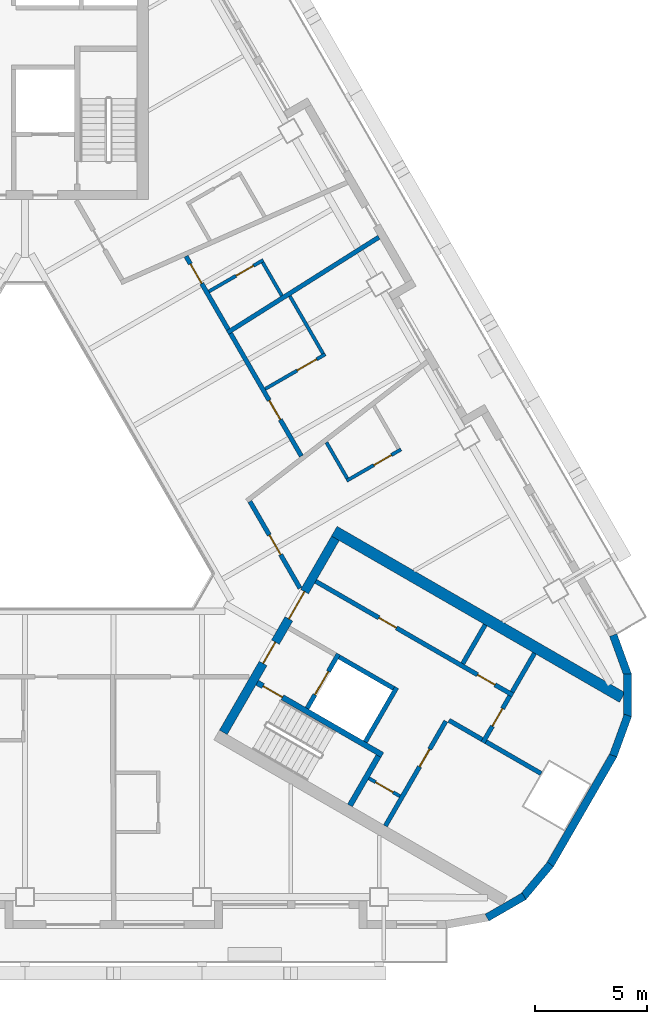
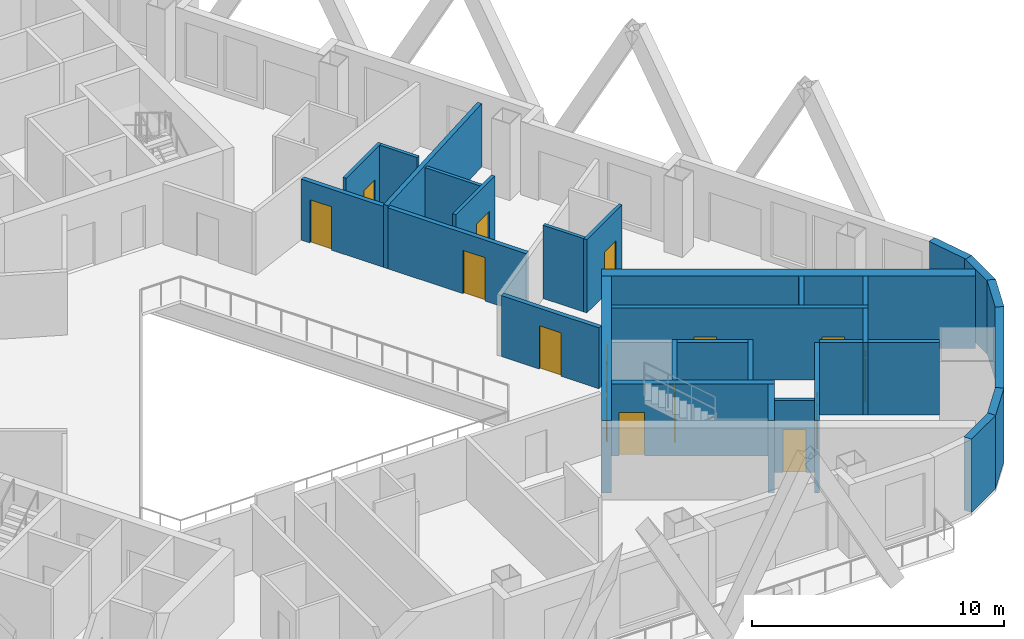
# One storey, part 5 of 14: 31 walls, 15 doors, 15 openings.
"""IFC4 building model written with IfcOpenShell, lengths in metres."""

from ifc_helpers import new_model, si_unit, direction, frame, frame_2d, origin, place, context, subcontext, project, spatial, rectangle, extrude, material, layer, layer_set, type_object, element, fill, save


model = new_model("IFC4")

# Units and contexts
model_context = context("Model", 3, precision=1e-05, world=origin(), true_north=direction((0.0, 1.0)))
body_context = subcontext(model_context, "Body", "Model", "MODEL_VIEW")
ifc_project = project(units=[si_unit("LENGTHUNIT", "METRE"), si_unit("AREAUNIT", "SQUARE_METRE"), si_unit("VOLUMEUNIT", "CUBIC_METRE"), si_unit("PLANEANGLEUNIT", "RADIAN"), si_unit("MASSUNIT", "GRAM", prefix="KILO")], contexts=[model_context])

# Site, building, storey
site_placement = place(None, origin())
site = spatial("IfcSite", under=ifc_project, at=site_placement, CompositionType="ELEMENT")
building_placement = place(site_placement, origin())
building = spatial("IfcBuilding", under=site, at=building_placement, Name="Apuvela Tower Hotel", CompositionType="ELEMENT")
storey_placement = place(building_placement, frame((0.0, 0.0, 176.199951171875)))
storey = spatial("IfcBuildingStorey", under=building, at=storey_placement, Name="L42", CompositionType="ELEMENT", Elevation=176.199951171875)

# Wall, openings, doors
ifc_material_1 = material(Name="Concrete C50/60", Category="concrete")
ifc_layer_1 = layer(ifc_material_1, 0.39990234375)
ifc_layer_set_1 = layer_set([ifc_layer_1], Name="COR-WALL-CORE-400")
wall_type_1 = type_object("IfcWallType", Name="COR-WALL-CORE-400", PredefinedType="SHEAR", material=ifc_layer_set_1)
wall_1_placement = place(storey_placement, frame((8.844970703125, -10.880126953125, 0.0), z_axis=(0.0, 0.0, 1.0), x_axis=(0.500004234368, 0.866022959057, 0.0)))
wall_1 = element("IfcWall", 1, at=wall_1_placement, inside=storey, type_object=wall_type_1, Name="Core wall SE", PredefinedType="SHEAR", context=body_context, shape_type="SweptSolid", body=[
    extrude(rectangle(XDim=10.0, YDim=0.39990234375, at=frame_2d((5.0, 0.0))), origin(), (0.0, 0.0, 1.0), 3.5),
])
opening_1_placement = place(wall_1_placement, frame((3.550048828125, 0.0, 0.0)))
opening_1 = element("IfcOpeningElement", 2, at=opening_1_placement, cuts=wall_1, Name="Opening E-FD", PredefinedType="OPENING", context=body_context, shape_type="SweptSolid", body=[
    extrude(rectangle(XDim=1.10009765625, YDim=2.10009765625, at=frame_2d((0.550048828125, 1.050048828125))), frame((0.0, 0.2099609375, 0.0), z_axis=(0.0, -1.0, 0.0), x_axis=(1.0, 0.0, 0.0)), (0.0, 0.0, 1.0), 0.419921875),
])
opening_2_placement = place(wall_1_placement, frame((5.85009765625, 0.0, 0.0)))
opening_2 = element("IfcOpeningElement", 3, at=opening_2_placement, cuts=wall_1, Name="Opening E-GD", PredefinedType="OPENING", context=body_context, shape_type="SweptSolid", body=[
    extrude(rectangle(XDim=1.39990234375, YDim=2.10009765625, at=frame_2d((0.699951171875, 1.050048828125))), frame((0.0, 0.2099609375, 0.0), z_axis=(0.0, -1.0, 0.0), x_axis=(1.0, 0.0, 0.0)), (0.0, 0.0, 1.0), 0.419921875),
])
ifc_material_2 = material(Name="Steel fire door, powder coated", Category="steel")
door_type_1 = type_object("IfcDoorType", Name="COR-FD-1100", OperationType="NOTDEFINED", PredefinedType="DOOR", material=ifc_material_2)
door_1_placement = place(opening_1_placement, frame((1.10009765625, 0.0, 0.0), z_axis=(0.0, 0.0, 1.0), x_axis=(-1.0, 0.0, 0.0)))
door_1 = element("IfcDoor", 4, at=door_1_placement, inside=storey, type_object=door_type_1, Name="Firefighting lobby door E-FD", OperationType="SINGLE_SWING_LEFT", OverallHeight=2.10009765625, OverallWidth=1.10009765625, PredefinedType="DOOR", context=body_context, shape_type="SweptSolid", body=[
    extrude(rectangle(XDim=1.10009765625, YDim=2.10009765625, at=frame_2d((0.550048828125, 1.050048828125))), frame((0.0, 0.02490234375, 0.0), z_axis=(0.0, -1.0, 0.0), x_axis=(1.0, 0.0, 0.0)), (0.0, 0.0, 1.0), 0.050048828125),
])
fill(opening_1, door_1)
ifc_material_3 = material(Name="Glazed steel fire door", Category="steel")
door_type_2 = type_object("IfcDoorType", Name="COR-GD-1400", OperationType="DOUBLE_DOOR_SINGLE_SWING", PredefinedType="DOOR", material=ifc_material_3)
door_2_placement = place(opening_2_placement, frame((1.39990234375, 0.0, 0.0), z_axis=(0.0, 0.0, 1.0), x_axis=(-1.0, 0.0, 0.0)))
door_2 = element("IfcDoor", 5, at=door_2_placement, inside=storey, type_object=door_type_2, Name="Lift lobby door E-GD", OperationType="DOUBLE_DOOR_SINGLE_SWING", OverallHeight=2.10009765625, OverallWidth=1.39990234375, PredefinedType="DOOR", context=body_context, shape_type="SweptSolid", body=[
    extrude(rectangle(XDim=1.39990234375, YDim=2.10009765625, at=frame_2d((0.699951171875, 1.050048828125))), frame((0.0, 0.02490234375, 0.0), z_axis=(0.0, -1.0, 0.0), x_axis=(1.0, 0.0, 0.0)), (0.0, 0.0, 1.0), 0.050048828125),
])
fill(opening_2, door_2)

# Wall
ifc_layer_2 = layer(ifc_material_1, 0.5)
ifc_layer_set_2 = layer_set([ifc_layer_2], Name="COR-WALL-CORE-500")
wall_type_2 = type_object("IfcWallType", Name="COR-WALL-CORE-500", PredefinedType="SHEAR", material=ifc_layer_set_2)
wall_2_placement = place(storey_placement, frame((13.796630859375, -1.9033203125, 0.0), z_axis=(0.0, 0.0, 1.0), x_axis=(0.866025009528, -0.500000682871, 0.0)))
element("IfcWall", 6, at=wall_2_placement, inside=storey, type_object=wall_type_2, Name="Core wall SE", PredefinedType="SHEAR", context=body_context, shape_type="SweptSolid", body=[
    extrude(rectangle(XDim=14.8369140625, YDim=0.5, at=frame_2d((7.41845703125, 0.0))), origin(), (0.0, 0.0, 1.0), 3.5),
])

# Wall, opening, door
ifc_material_4 = material(Name="Blockwork 150 mm plastered", Category="masonry")
ifc_layer_3 = layer(ifc_material_4, 0.14990234375)
ifc_layer_set_3 = layer_set([ifc_layer_3], Name="COR-WALL-PART-150")
wall_type_3 = type_object("IfcWallType", Name="COR-WALL-PART-150", PredefinedType="PARTITIONING", material=ifc_layer_set_3)
wall_3_placement = place(storey_placement, frame((15.341552734375, -12.927734375, 0.0), z_axis=(0.0, 0.0, 1.0), x_axis=(0.865989903783, -0.500061482766, 0.0)))
wall_3 = element("IfcWall", 7, at=wall_3_placement, inside=storey, type_object=wall_type_3, Name="Partition SE", PredefinedType="PARTITIONING", context=body_context, shape_type="SweptSolid", body=[
    extrude(rectangle(XDim=1.599853515625, YDim=0.14990234375, at=frame_2d((0.7998046875, 0.0))), origin(), (0.0, 0.0, 1.0), 3.5),
])
opening_3_placement = place(wall_3_placement, frame((0.35009765625, 0.0, 0.0)))
opening_3 = element("IfcOpeningElement", 8, at=opening_3_placement, cuts=wall_3, Name="Opening E-RD", PredefinedType="OPENING", context=body_context, shape_type="SweptSolid", body=[
    extrude(rectangle(XDim=0.89990234375, YDim=2.10009765625, at=frame_2d((0.449951171875, 1.050048828125))), frame((0.0, 0.0849609375, 0.0), z_axis=(0.0, -1.0, 0.0), x_axis=(1.0, 0.0, 0.0)), (0.0, 0.0, 1.0), 0.169921875),
])
ifc_material_5 = material(Name="Steel access door, powder coated", Category="steel")
door_type_3 = type_object("IfcDoorType", Name="COR-RD-900", OperationType="NOTDEFINED", PredefinedType="DOOR", material=ifc_material_5)
door_3_placement = place(opening_3_placement, frame((0.89990234375, 0.0, 0.0), z_axis=(0.0, 0.0, 1.0), x_axis=(-1.0, 0.0, 0.0)))
door_3 = element("IfcDoor", 9, at=door_3_placement, inside=storey, type_object=door_type_3, Name="Riser door E-RD", OperationType="SINGLE_SWING_LEFT", OverallHeight=2.10009765625, OverallWidth=0.89990234375, PredefinedType="DOOR", context=body_context, shape_type="SweptSolid", body=[
    extrude(rectangle(XDim=0.89990234375, YDim=2.10009765625, at=frame_2d((0.449951171875, 1.050048828125))), frame((0.0, 0.02490234375, 0.0), z_axis=(0.0, -1.0, 0.0), x_axis=(1.0, 0.0, 0.0)), (0.0, 0.0, 1.0), 0.050048828125),
])
fill(opening_3, door_3)

ifc_material_6 = material(Name="Blockwork 200 mm plastered", Category="masonry")
ifc_layer_4 = layer(ifc_material_6, 0.199951171875)
ifc_layer_set_4 = layer_set([ifc_layer_4], Name="COR-WALL-PART-200")
wall_type_4 = type_object("IfcWallType", Name="COR-WALL-PART-200", PredefinedType="PARTITIONING", material=ifc_layer_set_4)
wall_4_placement = place(storey_placement, frame((16.076171875, -15.05517578125, 0.0), z_axis=(0.0, 0.0, 1.0), x_axis=(0.499995103361, 0.866028230842, 0.0)))
wall_4 = element("IfcWall", 10, at=wall_4_placement, inside=storey, type_object=wall_type_4, Name="Partition SE", PredefinedType="PARTITIONING", context=body_context, shape_type="SweptSolid", body=[
    extrude(rectangle(XDim=5.39990234375, YDim=0.199951171875, at=frame_2d((2.699951171875, 0.0))), origin(), (0.0, 0.0, 1.0), 3.5),
])
opening_4_placement = place(wall_4_placement, frame((3.050048828125, 0.0, 0.0)))
opening_4 = element("IfcOpeningElement", 11, at=opening_4_placement, cuts=wall_4, Name="Opening E-RS1", PredefinedType="OPENING", context=body_context, shape_type="SweptSolid", body=[
    extrude(rectangle(XDim=0.89990234375, YDim=2.10009765625, at=frame_2d((0.449951171875, 1.050048828125))), frame((0.0, 0.10986328125, 0.0), z_axis=(0.0, -1.0, 0.0), x_axis=(1.0, 0.0, 0.0)), (0.0, 0.0, 1.0), 0.219970703125),
])
door_type_4 = type_object("IfcDoorType", Name="COR-DR-900", OperationType="NOTDEFINED", PredefinedType="DOOR", material=ifc_material_2)
door_4_placement = place(opening_4_placement, frame((0.89990234375, 0.0, 0.0), z_axis=(0.0, 0.0, 1.0), x_axis=(-1.0, 0.0, 0.0)))
door_4 = element("IfcDoor", 12, at=door_4_placement, inside=storey, type_object=door_type_4, Name="Store door E-RS1", OperationType="SINGLE_SWING_LEFT", OverallHeight=2.10009765625, OverallWidth=0.89990234375, PredefinedType="DOOR", context=body_context, shape_type="SweptSolid", body=[
    extrude(rectangle(XDim=0.89990234375, YDim=2.10009765625, at=frame_2d((0.449951171875, 1.050048828125))), frame((0.0, 0.02490234375, 0.0), z_axis=(0.0, -1.0, 0.0), x_axis=(1.0, 0.0, 0.0)), (0.0, 0.0, 1.0), 0.050048828125),
])
fill(opening_4, door_4)

# Wall
ifc_layer_5 = layer(ifc_material_1, 0.199951171875)
ifc_layer_set_5 = layer_set([ifc_layer_5], Name="COR-WALL-SHAFT-200")
wall_type_5 = type_object("IfcWallType", Name="COR-WALL-SHAFT-200", PredefinedType="SHEAR", material=ifc_layer_set_5)
wall_5_placement = place(storey_placement, frame((15.181396484375, -11.305419921875, 0.0), z_axis=(0.0, 0.0, 1.0), x_axis=(0.49994636267, 0.866056369097, 0.0)))
element("IfcWall", 13, at=wall_5_placement, inside=storey, type_object=wall_type_5, Name="Shaft wall SE", PredefinedType="SHEAR", context=body_context, shape_type="SweptSolid", body=[
    extrude(rectangle(XDim=2.800048828125, YDim=0.199951171875, at=frame_2d((1.39990234375, 0.0))), origin(), (0.0, 0.0, 1.0), 3.5),
])

# Wall, opening, door
wall_6_placement = place(storey_placement, frame((12.583251953125, -9.805419921875, 0.0), z_axis=(0.0, 0.0, 1.0), x_axis=(0.49994636267, 0.866056369097, 0.0)))
wall_6 = element("IfcWall", 14, at=wall_6_placement, inside=storey, type_object=wall_type_5, Name="Shaft wall SE", PredefinedType="SHEAR", context=body_context, shape_type="SweptSolid", body=[
    extrude(rectangle(XDim=2.800048828125, YDim=0.199951171875, at=frame_2d((1.39990234375, 0.0))), origin(), (0.0, 0.0, 1.0), 3.5),
])
opening_5_placement = place(wall_6_placement, frame((0.699951171875, 0.0, 0.0)))
opening_5 = element("IfcOpeningElement", 15, at=opening_5_placement, cuts=wall_6, Name="Opening E-LD-FS3", PredefinedType="OPENING", context=body_context, shape_type="SweptSolid", body=[
    extrude(rectangle(XDim=1.199951171875, YDim=2.10009765625, at=frame_2d((0.60009765625, 1.050048828125))), frame((0.0, 0.10986328125, 0.0), z_axis=(0.0, -1.0, 0.0), x_axis=(1.0, 0.0, 0.0)), (0.0, 0.0, 1.0), 0.219970703125),
])
ifc_material_7 = material(Name="Stainless steel lift landing door", Category="steel")
door_type_5 = type_object("IfcDoorType", Name="COR-LD-1200", OperationType="DOUBLE_DOOR_SLIDING", PredefinedType="DOOR", material=ifc_material_7)
door_5_placement = place(opening_5_placement, origin())
door_5 = element("IfcDoor", 16, at=door_5_placement, inside=storey, type_object=door_type_5, Name="Lift landing door E-LD-FS3", OperationType="DOUBLE_DOOR_SLIDING", OverallHeight=2.10009765625, OverallWidth=1.199951171875, PredefinedType="DOOR", context=body_context, shape_type="SweptSolid", body=[
    extrude(rectangle(XDim=1.199951171875, YDim=2.10009765625, at=frame_2d((0.60009765625, 1.050048828125))), frame((0.0, 0.02490234375, 0.0), z_axis=(0.0, -1.0, 0.0), x_axis=(1.0, 0.0, 0.0)), (0.0, 0.0, 1.0), 0.050048828125),
])
fill(opening_5, door_5)

# Wall
wall_7_placement = place(storey_placement, frame((14.019775390625, -7.51708984375, 0.0), z_axis=(0.0, 0.0, 1.0), x_axis=(0.866034573852, -0.49998411664, 0.0)))
element("IfcWall", 17, at=wall_7_placement, inside=storey, type_object=wall_type_5, Name="Shaft wall SE", PredefinedType="SHEAR", context=body_context, shape_type="SweptSolid", body=[
    extrude(rectangle(XDim=2.7998046875, YDim=0.199951171875, at=frame_2d((1.39990234375, 0.0))), origin(), (0.0, 0.0, 1.0), 3.5),
])

# Wall, openings, doors
wall_8_placement = place(storey_placement, frame((12.968017578125, -4.138427734375, 0.0), z_axis=(0.0, 0.0, 1.0), x_axis=(0.866028328073, -0.49999493495, 0.0)))
wall_8 = element("IfcWall", 18, at=wall_8_placement, inside=storey, type_object=wall_type_5, Name="Shaft wall SE", PredefinedType="SHEAR", context=body_context, shape_type="SweptSolid", body=[
    extrude(rectangle(XDim=10.16015625, YDim=0.199951171875, at=frame_2d((5.080078125, 0.0))), origin(), (0.0, 0.0, 1.0), 3.5),
])
opening_6_placement = place(wall_8_placement, frame((3.260009765625, 0.0, 0.0)))
opening_6 = element("IfcOpeningElement", 19, at=opening_6_placement, cuts=wall_8, Name="Opening E-RE1", PredefinedType="OPENING", context=body_context, shape_type="SweptSolid", body=[
    extrude(rectangle(XDim=0.89990234375, YDim=2.10009765625, at=frame_2d((0.449951171875, 1.050048828125))), frame((0.0, 0.10986328125, 0.0), z_axis=(0.0, -1.0, 0.0), x_axis=(1.0, 0.0, 0.0)), (0.0, 0.0, 1.0), 0.219970703125),
])
opening_7_placement = place(wall_8_placement, frame((8.340087890625, 0.0, 0.0)))
opening_7 = element("IfcOpeningElement", 20, at=opening_7_placement, cuts=wall_8, Name="Opening E-RE4", PredefinedType="OPENING", context=body_context, shape_type="SweptSolid", body=[
    extrude(rectangle(XDim=0.89990234375, YDim=2.10009765625, at=frame_2d((0.449951171875, 1.050048828125))), frame((0.0, 0.10986328125, 0.0), z_axis=(0.0, -1.0, 0.0), x_axis=(1.0, 0.0, 0.0)), (0.0, 0.0, 1.0), 0.219970703125),
])
door_6_placement = place(opening_6_placement, origin())
door_6 = element("IfcDoor", 21, at=door_6_placement, inside=storey, type_object=door_type_4, Name="Store door E-RE1", OperationType="SINGLE_SWING_LEFT", OverallHeight=2.10009765625, OverallWidth=0.89990234375, PredefinedType="DOOR", context=body_context, shape_type="SweptSolid", body=[
    extrude(rectangle(XDim=0.89990234375, YDim=2.10009765625, at=frame_2d((0.449951171875, 1.050048828125))), frame((0.0, 0.02490234375, 0.0), z_axis=(0.0, -1.0, 0.0), x_axis=(1.0, 0.0, 0.0)), (0.0, 0.0, 1.0), 0.050048828125),
])
fill(opening_6, door_6)
door_7_placement = place(opening_7_placement, origin())
door_7 = element("IfcDoor", 22, at=door_7_placement, inside=storey, type_object=door_type_4, Name="Store door E-RE4", OperationType="SINGLE_SWING_RIGHT", OverallHeight=2.10009765625, OverallWidth=0.89990234375, PredefinedType="DOOR", context=body_context, shape_type="SweptSolid", body=[
    extrude(rectangle(XDim=0.89990234375, YDim=2.10009765625, at=frame_2d((0.449951171875, 1.050048828125))), frame((0.0, 0.02490234375, 0.0), z_axis=(0.0, -1.0, 0.0), x_axis=(1.0, 0.0, 0.0)), (0.0, 0.0, 1.0), 0.050048828125),
])
fill(opening_7, door_7)

# Wall, opening, door
wall_9_placement = place(storey_placement, frame((20.430419921875, -11.33349609375, 0.0), z_axis=(0.0, 0.0, 1.0), x_axis=(0.500001309137, 0.866024647952, 0.0)))
wall_9 = element("IfcWall", 23, at=wall_9_placement, inside=storey, type_object=wall_type_5, Name="Shaft wall SE", PredefinedType="SHEAR", context=body_context, shape_type="SweptSolid", body=[
    extrude(rectangle(XDim=2.39990234375, YDim=0.199951171875, at=frame_2d((1.199951171875, 0.0))), origin(), (0.0, 0.0, 1.0), 3.5),
])
opening_8_placement = place(wall_9_placement, frame((0.85009765625, 0.0, 0.0)))
opening_8 = element("IfcOpeningElement", 24, at=opening_8_placement, cuts=wall_9, Name="Opening E-REP", PredefinedType="OPENING", context=body_context, shape_type="SweptSolid", body=[
    extrude(rectangle(XDim=0.89990234375, YDim=2.10009765625, at=frame_2d((0.449951171875, 1.050048828125))), frame((0.0, 0.10986328125, 0.0), z_axis=(0.0, -1.0, 0.0), x_axis=(1.0, 0.0, 0.0)), (0.0, 0.0, 1.0), 0.219970703125),
])
door_8_placement = place(opening_8_placement, frame((0.89990234375, 0.0, 0.0), z_axis=(0.0, 0.0, 1.0), x_axis=(-1.0, 0.0, 0.0)))
door_8 = element("IfcDoor", 25, at=door_8_placement, inside=storey, type_object=door_type_4, Name="Store door E-REP", OperationType="SINGLE_SWING_RIGHT", OverallHeight=2.10009765625, OverallWidth=0.89990234375, PredefinedType="DOOR", context=body_context, shape_type="SweptSolid", body=[
    extrude(rectangle(XDim=0.89990234375, YDim=2.10009765625, at=frame_2d((0.449951171875, 1.050048828125))), frame((0.0, 0.02490234375, 0.0), z_axis=(0.0, -1.0, 0.0), x_axis=(1.0, 0.0, 0.0)), (0.0, 0.0, 1.0), 0.050048828125),
])
fill(opening_8, door_8)

# Walls
wall_10_placement = place(storey_placement, frame((18.912841796875, -10.342041015625, 0.0), z_axis=(0.0, 0.0, 1.0), x_axis=(0.866038183914, -0.499977863513, 0.0)))
element("IfcWall", 26, at=wall_10_placement, inside=storey, type_object=wall_type_5, Name="Shaft wall SE", PredefinedType="SHEAR", context=body_context, shape_type="SweptSolid", body=[
    extrude(rectangle(XDim=1.7099609375, YDim=0.199951171875, at=frame_2d((0.85498046875, 0.0))), origin(), (0.0, 0.0, 1.0), 3.5),
])
for number, where, z_axis, x_axis, name in (
    (27, (19.530517578125, -7.81201171875, 0.0), (0.0, 0.0, 1.0), (0.499972520799, 0.866041268327, 0.0), "Shaft wall SE"),
    (28, (21.73046875, -9.081787109375, 0.0), (0.0, 0.0, 1.0), (0.50002537861, 0.866010750942, 0.0), "Shaft wall SE"),
):
    element("IfcWall", number, at=place(storey_placement, frame(where, z_axis=z_axis, x_axis=x_axis)), inside=storey, type_object=wall_type_5, Name=name, PredefinedType="SHEAR", context=body_context, shape_type="SweptSolid", body=[
        extrude(rectangle(XDim=2.0, YDim=0.199951171875, at=frame_2d((1.0, 0.0))), origin(), (0.0, 0.0, 1.0), 3.5),
    ])
wall_11_placement = place(storey_placement, frame((20.56689453125, -11.297119140625, 0.0), z_axis=(0.0, 0.0, 1.0), x_axis=(0.866055327414, -0.49994816717, 0.0)))
element("IfcWall", 29, at=wall_11_placement, inside=storey, type_object=wall_type_5, Name="Shaft wall SE", PredefinedType="SHEAR", context=body_context, shape_type="SweptSolid", body=[
    extrude(rectangle(XDim=2.840087890625, YDim=0.199951171875, at=frame_2d((1.419921875, 0.0))), origin(), (0.0, 0.0, 1.0), 3.5),
])

# Wall, opening, door
ifc_layer_6 = layer(ifc_material_1, 0.25)
ifc_layer_set_6 = layer_set([ifc_layer_6], Name="COR-WALL-STAIR-250")
wall_type_6 = type_object("IfcWallType", Name="COR-WALL-STAIR-250", PredefinedType="SHEAR", material=ifc_layer_set_6)
wall_12_placement = place(storey_placement, frame((10.355712890625, -8.66357421875, 0.0), z_axis=(0.0, 0.0, 1.0), x_axis=(0.866028629588, -0.499994412703, 0.0)))
wall_12 = element("IfcWall", 30, at=wall_12_placement, inside=storey, type_object=wall_type_6, Name="Stair wall SE", PredefinedType="SHEAR", context=body_context, shape_type="SweptSolid", body=[
    extrude(rectangle(XDim=6.44970703125, YDim=0.25, at=frame_2d((3.224853515625, 0.0))), origin(), (0.0, 0.0, 1.0), 3.5),
])
opening_9_placement = place(wall_12_placement, frame((0.300048828125, 0.0, 0.0)))
opening_9 = element("IfcOpeningElement", 31, at=opening_9_placement, cuts=wall_12, Name="Opening E-SD", PredefinedType="OPENING", context=body_context, shape_type="SweptSolid", body=[
    extrude(rectangle(XDim=1.0, YDim=2.10009765625, at=frame_2d((0.5, 1.050048828125))), frame((0.0, 0.135009765625, 0.0), z_axis=(0.0, -1.0, 0.0), x_axis=(1.0, 0.0, 0.0)), (0.0, 0.0, 1.0), 0.27001953125),
])
door_type_6 = type_object("IfcDoorType", Name="COR-SD-1000", OperationType="NOTDEFINED", PredefinedType="DOOR", material=ifc_material_2)
door_9_placement = place(opening_9_placement, frame((1.0, 0.0, 0.0), z_axis=(0.0, 0.0, 1.0), x_axis=(-1.0, 0.0, 0.0)))
door_9 = element("IfcDoor", 32, at=door_9_placement, inside=storey, type_object=door_type_6, Name="Stair door E-SD", OperationType="SINGLE_SWING_LEFT", OverallHeight=2.10009765625, OverallWidth=1.0, PredefinedType="DOOR", context=body_context, shape_type="SweptSolid", body=[
    extrude(rectangle(XDim=1.0, YDim=2.10009765625, at=frame_2d((0.5, 1.050048828125))), frame((0.0, 0.02490234375, 0.0), z_axis=(0.0, -1.0, 0.0), x_axis=(1.0, 0.0, 0.0)), (0.0, 0.0, 1.0), 0.050048828125),
])
fill(opening_9, door_9)

# Walls
wall_13_placement = place(storey_placement, frame((14.49560546875, -14.142578125, 0.0), z_axis=(0.0, 0.0, 1.0), x_axis=(0.500062241894, 0.865989465428, 0.0)))
element("IfcWall", 33, at=wall_13_placement, inside=storey, type_object=wall_type_6, Name="Stair wall SE", PredefinedType="SHEAR", context=body_context, shape_type="SweptSolid", body=[
    extrude(rectangle(XDim=2.550048828125, YDim=0.25, at=frame_2d((1.27490234375, 0.0))), origin(), (0.0, 0.0, 1.0), 3.5),
])
ifc_material_8 = material(Name="Concrete C40/50, dark pigmented precast panel", Category="concrete")
ifc_layer_7 = layer(ifc_material_8, 0.35009765625)
ifc_layer_set_7 = layer_set([ifc_layer_7], Name="ENV-WALL-350")
wall_type_7 = type_object("IfcWallType", Name="ENV-WALL-350", PredefinedType="SOLIDWALL", material=ifc_layer_set_7)
for number, where, z_axis, x_axis, name in (
    (34, (20.609619140625, -19.146728515625, 0.0), (0.0, 0.0, 1.0), (0.866000389056, 0.500043324278, 0.0), "External wall L42-27"),
    (35, (22.21728515625, -18.230712890625, 0.0), (0.0, 0.0, 1.0), (0.642733291068, 0.76609001857, 0.0), "External wall L42-28"),
):
    element("IfcWall", number, at=place(storey_placement, frame(where, z_axis=z_axis, x_axis=x_axis)), inside=storey, type_object=wall_type_7, Name=name, PredefinedType="SOLIDWALL", context=body_context, shape_type="SweptSolid", body=[
        extrude(rectangle(XDim=1.909912109375, YDim=0.35009765625, at=frame_2d((0.955078125, 0.0))), origin(), (0.0, 0.0, 1.0), 3.550048828125),
    ])
wall_14_placement = place(storey_placement, frame((23.427490234375, -16.79248046875, 0.0), z_axis=(0.0, 0.0, 1.0), x_axis=(0.500018773155, 0.866014564827, 0.0)))
element("IfcWall", 36, at=wall_14_placement, inside=storey, type_object=wall_type_7, Name="External wall L42-29", PredefinedType="SOLIDWALL", context=body_context, shape_type="SweptSolid", body=[
    extrude(rectangle(XDim=5.657958984375, YDim=0.35009765625, at=frame_2d((2.8291015625, 0.0))), origin(), (0.0, 0.0, 1.0), 3.550048828125),
])
for number, where, z_axis, x_axis, name in (
    (37, (26.24365234375, -11.920166015625, 0.0), (0.0, 0.0, 1.0), (0.342030395486, 0.939688889242, 0.0), "External wall L42-30"),
    (38, (26.88623046875, -10.18505859375, 0.0), (0.0, 0.0, 1.0), (0.0, 1.0, 0.0), "External wall L42-31"),
    (39, (26.89697265625, -8.334716796875, 0.0), (0.0, 0.0, 1.0), (-0.342030395486, 0.939688889242, 0.0), "External wall L42-32"),
):
    element("IfcWall", number, at=place(storey_placement, frame(where, z_axis=z_axis, x_axis=x_axis)), inside=storey, type_object=wall_type_7, Name=name, PredefinedType="SOLIDWALL", context=body_context, shape_type="SweptSolid", body=[
        extrude(rectangle(XDim=1.91015625, YDim=0.35009765625, at=frame_2d((0.955078125, 0.0))), origin(), (0.0, 0.0, 1.0), 3.550048828125),
    ])
ifc_material_9 = material(Name="Gypsum board partition on twin steel stud", Category="steel")
ifc_layer_8 = layer(ifc_material_9, 0.199951171875)
ifc_layer_set_8 = layer_set([ifc_layer_8], Name="GST-PW1")
wall_type_8 = type_object("IfcWallType", Name="GST-PW1", PredefinedType="PARTITIONING", material=ifc_layer_set_8)
wall_15_placement = place(storey_placement, frame((15.787109375, 11.21630859375, 0.0), z_axis=(0.0, 0.0, 1.0), x_axis=(-0.845894721315, -0.533349904332, 0.0)))
element("IfcWall", 40, at=wall_15_placement, inside=storey, type_object=wall_type_8, Name="L42 partition 05", PredefinedType="PARTITIONING", context=body_context, shape_type="SweptSolid", body=[
    extrude(rectangle(XDim=7.986328125, YDim=0.199951171875, at=frame_2d((3.9931640625, 0.0))), origin(), (0.0, 0.0, 1.0), 3.06005859375),
])

# Wall, opening, door
ifc_material_10 = material(Name="Gypsum board corridor wall on twin steel stud, acoustic", Category="steel")
ifc_layer_9 = layer(ifc_material_10, 0.199951171875)
ifc_layer_set_9 = layer_set([ifc_layer_9], Name="GST-PW2")
wall_type_9 = type_object("IfcWallType", Name="GST-PW2", PredefinedType="PARTITIONING", material=ifc_layer_set_9)
wall_16_placement = place(storey_placement, frame((10.03173828125, -0.57568359375, 0.0), z_axis=(0.0, 0.0, 1.0), x_axis=(0.500042097992, -0.866001097133, 0.0)))
wall_16 = element("IfcWall", 41, at=wall_16_placement, inside=storey, type_object=wall_type_9, Name="L42 partition 24", PredefinedType="PARTITIONING", context=body_context, shape_type="SweptSolid", body=[
    extrude(rectangle(XDim=4.4736328125, YDim=0.199951171875, at=frame_2d((2.23681640625, 0.0))), origin(), (0.0, 0.0, 1.0), 2.949951171875),
])
opening_10_placement = place(wall_16_placement, frame((1.73681640625, 0.0, 0.0)))
opening_10 = element("IfcOpeningElement", 42, at=opening_10_placement, cuts=wall_16, Name="Opening GD16-10", PredefinedType="OPENING", context=body_context, shape_type="SweptSolid", body=[
    extrude(rectangle(XDim=1.0, YDim=2.10009765625, at=frame_2d((0.5, 1.050048828125))), frame((0.0, 0.10986328125, 0.0), z_axis=(0.0, -1.0, 0.0), x_axis=(1.0, 0.0, 0.0)), (0.0, 0.0, 1.0), 0.219970703125),
])
ifc_material_11 = material(Name="Timber door leaf in steel frame", Category="steel")
door_type_7 = type_object("IfcDoorType", Name="GST-D1", OperationType="NOTDEFINED", PredefinedType="DOOR", material=ifc_material_11)
door_10_placement = place(opening_10_placement, origin())
door_10 = element("IfcDoor", 43, at=door_10_placement, inside=storey, type_object=door_type_7, Name="Door L42-10", OperationType="SINGLE_SWING_LEFT", OverallHeight=2.10009765625, OverallWidth=1.0, PredefinedType="DOOR", context=body_context, shape_type="SweptSolid", body=[
    extrude(rectangle(XDim=1.0, YDim=2.10009765625, at=frame_2d((0.5, 1.050048828125))), frame((0.0, 0.02490234375, 0.0), z_axis=(0.0, -1.0, 0.0), x_axis=(1.0, 0.0, 0.0)), (0.0, 0.0, 1.0), 0.050048828125),
])
fill(opening_10, door_10)

wall_17_placement = place(storey_placement, frame((9.166259765625, 6.923583984375, 0.0), z_axis=(0.0, 0.0, 1.0), x_axis=(0.499997689051, -0.866026738007, 0.0)))
wall_17 = element("IfcWall", 44, at=wall_17_placement, inside=storey, type_object=wall_type_9, Name="L42 partition 28", PredefinedType="PARTITIONING", context=body_context, shape_type="SweptSolid", body=[
    extrude(rectangle(XDim=6.32177734375, YDim=0.199951171875, at=frame_2d((3.160888671875, 0.0))), origin(), (0.0, 0.0, 1.0), 2.949951171875),
])
opening_11_placement = place(wall_17_placement, frame((3.446044921875, 0.0, 0.0)))
opening_11 = element("IfcOpeningElement", 45, at=opening_11_placement, cuts=wall_17, Name="Opening GD16-12", PredefinedType="OPENING", context=body_context, shape_type="SweptSolid", body=[
    extrude(rectangle(XDim=1.0, YDim=2.10009765625, at=frame_2d((0.5, 1.050048828125))), frame((0.0, 0.10986328125, 0.0), z_axis=(0.0, -1.0, 0.0), x_axis=(1.0, 0.0, 0.0)), (0.0, 0.0, 1.0), 0.219970703125),
])
door_11_placement = place(opening_11_placement, origin())
door_11 = element("IfcDoor", 46, at=door_11_placement, inside=storey, type_object=door_type_7, Name="Door L42-12", OperationType="SINGLE_SWING_RIGHT", OverallHeight=2.10009765625, OverallWidth=1.0, PredefinedType="DOOR", context=body_context, shape_type="SweptSolid", body=[
    extrude(rectangle(XDim=1.0, YDim=2.10009765625, at=frame_2d((0.5, 1.050048828125))), frame((0.0, 0.02490234375, 0.0), z_axis=(0.0, -1.0, 0.0), x_axis=(1.0, 0.0, 0.0)), (0.0, 0.0, 1.0), 0.050048828125),
])
fill(opening_11, door_11)

wall_18_placement = place(storey_placement, frame((7.178955078125, 10.365478515625, 0.0), z_axis=(0.0, 0.0, 1.0), x_axis=(0.500021083992, -0.866013230594, 0.0)))
wall_18 = element("IfcWall", 47, at=wall_18_placement, inside=storey, type_object=wall_type_9, Name="L42 partition 31", PredefinedType="PARTITIONING", context=body_context, shape_type="SweptSolid", body=[
    extrude(rectangle(XDim=3.774169921875, YDim=0.199951171875, at=frame_2d((1.88720703125, 0.0))), origin(), (0.0, 0.0, 1.0), 2.949951171875),
])
opening_12_placement = place(wall_18_placement, frame((0.39990234375, 0.0, 0.0)))
opening_12 = element("IfcOpeningElement", 48, at=opening_12_placement, cuts=wall_18, Name="Opening GD16-14", PredefinedType="OPENING", context=body_context, shape_type="SweptSolid", body=[
    extrude(rectangle(XDim=1.0, YDim=2.10009765625, at=frame_2d((0.5, 1.050048828125))), frame((0.0, 0.10986328125, 0.0), z_axis=(0.0, -1.0, 0.0), x_axis=(1.0, 0.0, 0.0)), (0.0, 0.0, 1.0), 0.219970703125),
])
door_12_placement = place(opening_12_placement, origin())
door_12 = element("IfcDoor", 49, at=door_12_placement, inside=storey, type_object=door_type_7, Name="Door L42-14", OperationType="SINGLE_SWING_LEFT", OverallHeight=2.10009765625, OverallWidth=1.0, PredefinedType="DOOR", context=body_context, shape_type="SweptSolid", body=[
    extrude(rectangle(XDim=1.0, YDim=2.10009765625, at=frame_2d((0.5, 1.050048828125))), frame((0.0, 0.02490234375, 0.0), z_axis=(0.0, -1.0, 0.0), x_axis=(1.0, 0.0, 0.0)), (0.0, 0.0, 1.0), 0.050048828125),
])
fill(opening_12, door_12)

ifc_material_12 = material(Name="Moisture-resistant gypsum board wet wall on steel stud", Category="steel")
ifc_layer_10 = layer(ifc_material_12, 0.14990234375)
ifc_layer_set_10 = layer_set([ifc_layer_10], Name="GST-PW3")
wall_type_10 = type_object("IfcWallType", Name="GST-PW3", PredefinedType="PARTITIONING", material=ifc_layer_set_10)
wall_19_placement = place(storey_placement, frame((14.34912109375, 0.3466796875, 0.0), z_axis=(0.0, 0.0, 1.0), x_axis=(0.866034573852, 0.49998411664, 0.0)))
wall_19 = element("IfcWall", 50, at=wall_19_placement, inside=storey, type_object=wall_type_10, Name="L42 partition 25", PredefinedType="PARTITIONING", context=body_context, shape_type="SweptSolid", body=[
    extrude(rectangle(XDim=2.7998046875, YDim=0.14990234375, at=frame_2d((1.39990234375, 0.0))), origin(), (0.0, 0.0, 1.0), 3.550048828125),
])
opening_13_placement = place(wall_19_placement, frame((1.39990234375, 0.0, 0.0)))
opening_13 = element("IfcOpeningElement", 51, at=opening_13_placement, cuts=wall_19, Name="Opening GD16-09", PredefinedType="OPENING", context=body_context, shape_type="SweptSolid", body=[
    extrude(rectangle(XDim=0.89990234375, YDim=2.10009765625, at=frame_2d((0.449951171875, 1.050048828125))), frame((0.0, 0.0849609375, 0.0), z_axis=(0.0, -1.0, 0.0), x_axis=(1.0, 0.0, 0.0)), (0.0, 0.0, 1.0), 0.169921875),
])
door_type_8 = type_object("IfcDoorType", Name="GST-D2", OperationType="NOTDEFINED", PredefinedType="DOOR", material=ifc_material_11)
door_13_placement = place(opening_13_placement, origin())
door_13 = element("IfcDoor", 52, at=door_13_placement, inside=storey, type_object=door_type_8, Name="Door L42-09", OperationType="SINGLE_SWING_RIGHT", OverallHeight=2.10009765625, OverallWidth=0.89990234375, PredefinedType="DOOR", context=body_context, shape_type="SweptSolid", body=[
    extrude(rectangle(XDim=0.89990234375, YDim=2.10009765625, at=frame_2d((0.449951171875, 1.050048828125))), frame((0.0, 0.02490234375, 0.0), z_axis=(0.0, -1.0, 0.0), x_axis=(1.0, 0.0, 0.0)), (0.0, 0.0, 1.0), 0.050048828125),
])
fill(opening_13, door_13)

# Wall
wall_20_placement = place(storey_placement, frame((14.376708984375, 0.448974609375, 0.0), z_axis=(0.0, 0.0, 1.0), x_axis=(-0.500063286585, 0.865988862174, 0.0)))
element("IfcWall", 53, at=wall_20_placement, inside=storey, type_object=wall_type_10, Name="L42 partition 27", PredefinedType="PARTITIONING", context=body_context, shape_type="SweptSolid", body=[
    extrude(rectangle(XDim=1.860107421875, YDim=0.14990234375, at=frame_2d((0.93017578125, 0.0))), origin(), (0.0, 0.0, 1.0), 3.550048828125),
])

# Wall, opening, door
wall_21_placement = place(storey_placement, frame((10.71337890625, 4.44384765625, 0.0), z_axis=(0.0, 0.0, 1.0), x_axis=(0.86602952684, 0.49999285859, 0.0)))
wall_21 = element("IfcWall", 54, at=wall_21_placement, inside=storey, type_object=wall_type_10, Name="L42 partition 29", PredefinedType="PARTITIONING", context=body_context, shape_type="SweptSolid", body=[
    extrude(rectangle(XDim=3.10009765625, YDim=0.14990234375, at=frame_2d((1.550048828125, 0.0))), origin(), (0.0, 0.0, 1.0), 3.550048828125),
])
opening_14_placement = place(wall_21_placement, frame((1.64990234375, 0.0, 0.0)))
opening_14 = element("IfcOpeningElement", 55, at=opening_14_placement, cuts=wall_21, Name="Opening GD16-11", PredefinedType="OPENING", context=body_context, shape_type="SweptSolid", body=[
    extrude(rectangle(XDim=1.0, YDim=2.10009765625, at=frame_2d((0.5, 1.050048828125))), frame((0.0, 0.0849609375, 0.0), z_axis=(0.0, -1.0, 0.0), x_axis=(1.0, 0.0, 0.0)), (0.0, 0.0, 1.0), 0.169921875),
])
door_14_placement = place(opening_14_placement, origin())
door_14 = element("IfcDoor", 56, at=door_14_placement, inside=storey, type_object=door_type_7, Name="Door L42-11", OperationType="SINGLE_SWING_RIGHT", OverallHeight=2.10009765625, OverallWidth=1.0, PredefinedType="DOOR", context=body_context, shape_type="SweptSolid", body=[
    extrude(rectangle(XDim=1.0, YDim=2.10009765625, at=frame_2d((0.5, 1.050048828125))), frame((0.0, 0.02490234375, 0.0), z_axis=(0.0, -1.0, 0.0), x_axis=(1.0, 0.0, 0.0)), (0.0, 0.0, 1.0), 0.050048828125),
])
fill(opening_14, door_14)

# Wall
wall_22_placement = place(storey_placement, frame((13.295654296875, 6.021240234375, 0.0), z_axis=(0.0, 0.0, 1.0), x_axis=(-0.499978799242, 0.866037643702, 0.0)))
element("IfcWall", 57, at=wall_22_placement, inside=storey, type_object=wall_type_10, Name="L42 partition 30", PredefinedType="PARTITIONING", context=body_context, shape_type="SweptSolid", body=[
    extrude(rectangle(XDim=2.968017578125, YDim=0.14990234375, at=frame_2d((1.48388671875, 0.0))), origin(), (0.0, 0.0, 1.0), 2.949951171875),
])

# Wall, opening, door
wall_23_placement = place(storey_placement, frame((10.6259765625, 10.1953125, 0.0), z_axis=(0.0, 0.0, 1.0), x_axis=(-0.865996816683, -0.500049511043, 0.0)))
wall_23 = element("IfcWall", 58, at=wall_23_placement, inside=storey, type_object=wall_type_10, Name="L42 partition 32", PredefinedType="PARTITIONING", context=body_context, shape_type="SweptSolid", body=[
    extrude(rectangle(XDim=2.800048828125, YDim=0.14990234375, at=frame_2d((1.39990234375, 0.0))), origin(), (0.0, 0.0, 1.0), 3.550048828125),
])
opening_15_placement = place(wall_23_placement, frame((0.5, 0.0, 0.0)))
opening_15 = element("IfcOpeningElement", 59, at=opening_15_placement, cuts=wall_23, Name="Opening GD16-13", PredefinedType="OPENING", context=body_context, shape_type="SweptSolid", body=[
    extrude(rectangle(XDim=0.89990234375, YDim=2.10009765625, at=frame_2d((0.449951171875, 1.050048828125))), frame((0.0, 0.0849609375, 0.0), z_axis=(0.0, -1.0, 0.0), x_axis=(1.0, 0.0, 0.0)), (0.0, 0.0, 1.0), 0.169921875),
])
door_15_placement = place(opening_15_placement, origin())
door_15 = element("IfcDoor", 60, at=door_15_placement, inside=storey, type_object=door_type_8, Name="Door L42-13", OperationType="SINGLE_SWING_LEFT", OverallHeight=2.10009765625, OverallWidth=0.89990234375, PredefinedType="DOOR", context=body_context, shape_type="SweptSolid", body=[
    extrude(rectangle(XDim=0.89990234375, YDim=2.10009765625, at=frame_2d((0.449951171875, 1.050048828125))), frame((0.0, 0.02490234375, 0.0), z_axis=(0.0, -1.0, 0.0), x_axis=(1.0, 0.0, 0.0)), (0.0, 0.0, 1.0), 0.050048828125),
])
fill(opening_15, door_15)

# Wall
wall_24_placement = place(storey_placement, frame((11.45751953125, 8.604736328125, 0.0), z_axis=(0.0, 0.0, 1.0), x_axis=(-0.499898763811, 0.866083844636, 0.0)))
element("IfcWall", 61, at=wall_24_placement, inside=storey, type_object=wall_type_10, Name="L42 partition 33", PredefinedType="PARTITIONING", context=body_context, shape_type="SweptSolid", body=[
    extrude(rectangle(XDim=1.718017578125, YDim=0.14990234375, at=frame_2d((0.85888671875, 0.0))), origin(), (0.0, 0.0, 1.0), 3.550048828125),
])

save(model, "model.ifc")
